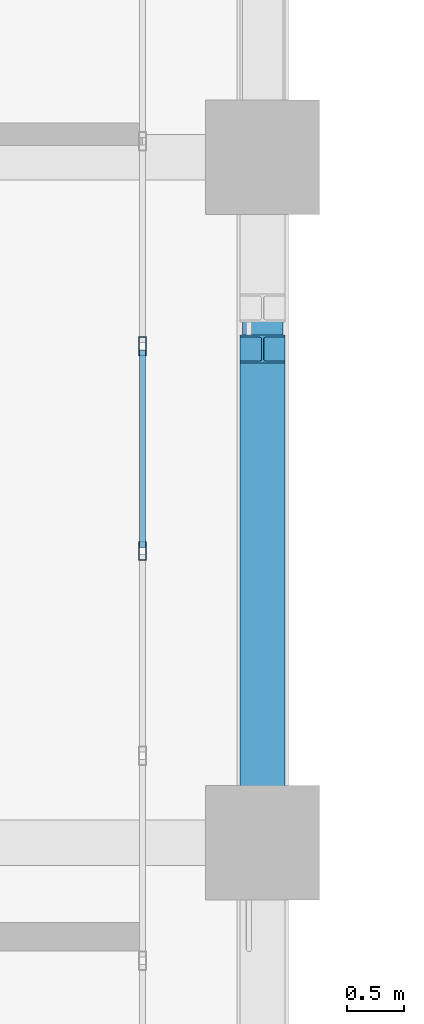
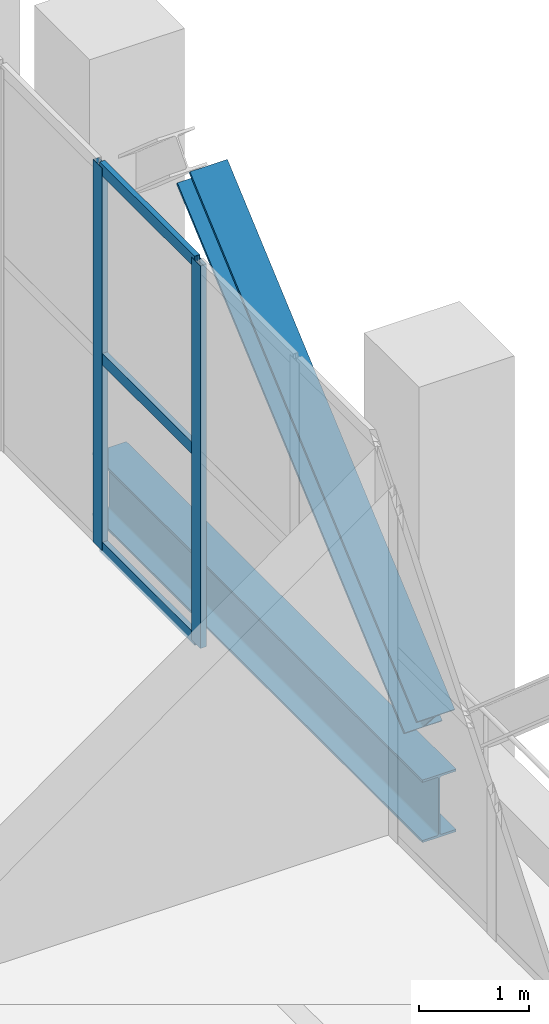
# One storey, part 11 of 27: 6 members, 1 beam, 1 element without a shape of its own.
"""IFC4 building model written with IfcOpenShell, lengths in metres."""

from ifc_helpers import new_model, si_unit, direction, frame, origin, origin_2d, place, context, subcontext, project, spatial, hollow_rectangle, i_section, extrude, material, layer, layer_set, material_profile, profile_set, type_object, element, aggregate, save


model = new_model("IFC4")

# Units and contexts
model_context = context("Model", 3, precision=1e-05, world=origin(), true_north=direction((0.0, 1.0)))
body_context = subcontext(model_context, "Body", "Model", "MODEL_VIEW")
ifc_project = project(units=[si_unit("LENGTHUNIT", "METRE"), si_unit("AREAUNIT", "SQUARE_METRE"), si_unit("VOLUMEUNIT", "CUBIC_METRE"), si_unit("PLANEANGLEUNIT", "RADIAN"), si_unit("MASSUNIT", "GRAM", prefix="KILO")], contexts=[model_context])

# Site, building, storey
site_placement = place(None, origin())
site = spatial("IfcSite", under=ifc_project, at=site_placement, CompositionType="ELEMENT")
building_placement = place(site_placement, origin())
building = spatial("IfcBuilding", under=site, at=building_placement, Name="Mawjdan Bourse Tower", CompositionType="ELEMENT")
storey_placement = place(building_placement, frame((0.0, 0.0, 155.699951171875)))
storey = spatial("IfcBuildingStorey", under=building, at=storey_placement, Name="L37", CompositionType="ELEMENT", Elevation=155.699951171875)

# Member
ifc_material_1 = material(Name="Structural Steel S460", Category="steel")
ifc_material_profile_1 = material_profile(ifc_material_1, i_section(OverallWidth=0.39404296875, OverallDepth=0.375, WebThickness=0.017333984375, FlangeThickness=0.027587890625, FilletRadius=0.022216796875, at=origin_2d()), Name="W14X145")
ifc_profile_set_1 = profile_set([ifc_material_profile_1], Name="Structural Steel S460")
member_type_1 = type_object("IfcMemberType", Name="BRC-W14X145", PredefinedType="BRACE", material=ifc_profile_set_1)
member_1_placement = place(storey_placement, frame((24.0, 30.179931640625, 0.199951171875), z_axis=(0.0, 0.754607438139, 0.656176511546), x_axis=(-1.0, 0.0, 0.0)))
element("IfcMember", 1, at=member_1_placement, inside=storey, type_object=member_type_1, Name="L37 North Wing Perimeter Belt Truss Diagonal 3", PredefinedType="BRACE", context=body_context, shape_type="SweptSolid", body=[
    extrude(i_section(OverallWidth=0.39404296875, OverallDepth=0.375, WebThickness=0.017333984375, FlangeThickness=0.027587890625, FilletRadius=0.022216796875, at=origin_2d()), origin(), (0.0, 0.0, 1.0), 5.486572265625),
])

# Curtain wall, members
ifc_material_2 = material(Name="Thermally Broken Aluminium and Solar Glass", Category="aluminium")
ifc_layer = layer(ifc_material_2, 0.219970703125)
ifc_layer_set = layer_set([ifc_layer], Name="Thermally Broken Aluminium and Solar Glass")
curtain_wall_type = type_object("IfcCurtainWallType", Name="CW-RFG", PredefinedType="USERDEFINED", material=ifc_layer_set)
curtain_wall_placement = place(storey_placement, origin())
curtain_wall = element("IfcCurtainWall", 2, at=curtain_wall_placement, inside=storey, type_object=curtain_wall_type, Name="L37 Refuge Band North-Wing Louvre Curtain Wall", ObjectType="REFUGE BAND LOUVRE SCREEN", PredefinedType="USERDEFINED")
ifc_material_3 = material(Name="Thermally Broken Anodised Aluminium", Category="aluminium")
ifc_material_profile_2 = material_profile(ifc_material_3, hollow_rectangle(XDim=0.06494140625, YDim=0.1650390625, WallThickness=0.00390625, at=origin_2d()), Name="ALU-MUL-165X65")
ifc_profile_set_2 = profile_set([ifc_material_profile_2], Name="Thermally Broken Anodised Aluminium")
member_type_2 = type_object("IfcMemberType", Name="MUL-ALU-MUL-165X65", PredefinedType="MULLION", material=ifc_profile_set_2)
member_2_placement = place(storey_placement, frame((22.949951171875, 32.553955078125, 0.0), z_axis=(0.0, 0.0, 1.0), x_axis=(-1.0, 0.0, 0.0)))
member_2 = element("IfcMember", 3, at=member_2_placement, type_object=member_type_2, Name="CW-RFG-L37-RFG-W mullion 7", PredefinedType="MULLION", context=body_context, shape_type="SweptSolid", body=[
    extrude(hollow_rectangle(XDim=0.06494140625, YDim=0.1650390625, WallThickness=0.00390625, at=origin_2d()), origin(), (0.0, 0.0, 1.0), 4.25),
])
member_3_placement = place(storey_placement, frame((22.949951171875, 34.34619140625, 0.0), z_axis=(0.0, 0.0, 1.0), x_axis=(-1.0, 0.0, 0.0)))
member_3 = element("IfcMember", 4, at=member_3_placement, type_object=member_type_2, Name="CW-RFG-L37-RFG-W mullion 8", PredefinedType="MULLION", context=body_context, shape_type="SweptSolid", body=[
    extrude(hollow_rectangle(XDim=0.06494140625, YDim=0.1650390625, WallThickness=0.00390625, at=origin_2d()), origin(), (0.0, 0.0, 1.0), 4.25),
])

# Beam
ifc_material_4 = material(Name="Structural Steel S355", Category="steel")
ifc_material_profile_3 = material_profile(ifc_material_4, i_section(OverallWidth=0.35498046875, OverallDepth=0.696044921875, WebThickness=0.015380859375, FlangeThickness=0.02490234375, FilletRadius=0.019775390625, at=origin_2d()), Name="W27X146")
ifc_profile_set_3 = profile_set([ifc_material_profile_3], Name="Structural Steel S355")
beam_type = type_object("IfcBeamType", Name="SPN-W27X146", PredefinedType="SPANDREL", material=ifc_profile_set_3)
beam_placement = place(storey_placement, frame((24.0, 30.0, -0.6279296875), z_axis=(0.0, 1.0, 0.0), x_axis=(-1.0, 0.0, 0.0)))
element("IfcBeam", 5, at=beam_placement, inside=storey, type_object=beam_type, Name="L37 North Wing Spandrel 067", PredefinedType="SPANDREL", context=body_context, shape_type="SweptSolid", body=[
    extrude(i_section(OverallWidth=0.35498046875, OverallDepth=0.696044921875, WebThickness=0.015380859375, FlangeThickness=0.02490234375, FilletRadius=0.019775390625, at=origin_2d()), origin(), (0.0, 0.0, 1.0), 6.0),
])

# Member
ifc_material_profile_4 = material_profile(ifc_material_3, hollow_rectangle(XDim=0.054931640625, YDim=0.1298828125, WallThickness=0.00341796875, at=origin_2d()), Name="ALU-TRN-130X55")
ifc_profile_set_4 = profile_set([ifc_material_profile_4], Name="Thermally Broken Anodised Aluminium")
member_type_3 = type_object("IfcMemberType", Name="TRN-ALU-TRN-130X55", PredefinedType="USERDEFINED", material=ifc_profile_set_4)
member_4_placement = place(storey_placement, frame((22.949951171875, 32.58642578125, 0.027587890625), z_axis=(0.0, 1.0, 0.0), x_axis=(-1.0, 0.0, 0.0)))
member_4 = element("IfcMember", 6, at=member_4_placement, type_object=member_type_3, Name="CW-RFG-L37-RFG-W transom 7.1", ObjectType="TRANSOM", PredefinedType="USERDEFINED", context=body_context, shape_type="SweptSolid", body=[
    extrude(hollow_rectangle(XDim=0.054931640625, YDim=0.1298828125, WallThickness=0.00341796875, at=origin_2d()), origin(), (0.0, 0.0, 1.0), 1.727294921875),
])

member_5_placement = place(storey_placement, frame((22.949951171875, 32.58642578125, 2.125), z_axis=(0.0, 1.0, 0.0), x_axis=(-1.0, 0.0, 0.0)))
member_5 = element("IfcMember", 7, at=member_5_placement, type_object=member_type_3, Name="CW-RFG-L37-RFG-W transom 7.2", ObjectType="TRANSOM", PredefinedType="USERDEFINED", context=body_context, shape_type="SweptSolid", body=[
    extrude(hollow_rectangle(XDim=0.054931640625, YDim=0.1298828125, WallThickness=0.00341796875, at=origin_2d()), origin(), (0.0, 0.0, 1.0), 1.727294921875),
])

member_6_placement = place(storey_placement, frame((22.949951171875, 32.58642578125, 4.22265625), z_axis=(0.0, 1.0, 0.0), x_axis=(-1.0, 0.0, 0.0)))
member_6 = element("IfcMember", 8, at=member_6_placement, type_object=member_type_3, Name="CW-RFG-L37-RFG-W transom 7.3", ObjectType="TRANSOM", PredefinedType="USERDEFINED", context=body_context, shape_type="SweptSolid", body=[
    extrude(hollow_rectangle(XDim=0.054931640625, YDim=0.1298828125, WallThickness=0.00341796875, at=origin_2d()), origin(), (0.0, 0.0, 1.0), 1.727294921875),
])

aggregate(curtain_wall, [member_2, member_3, member_4, member_5, member_6])

save(model, "model.ifc")
